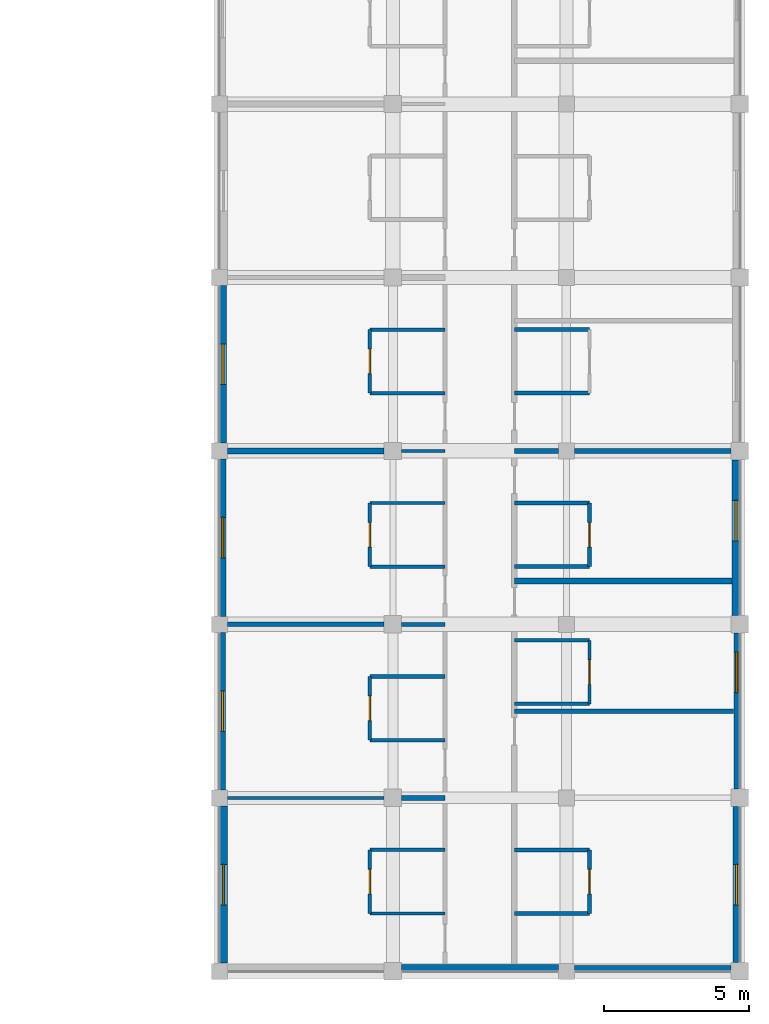
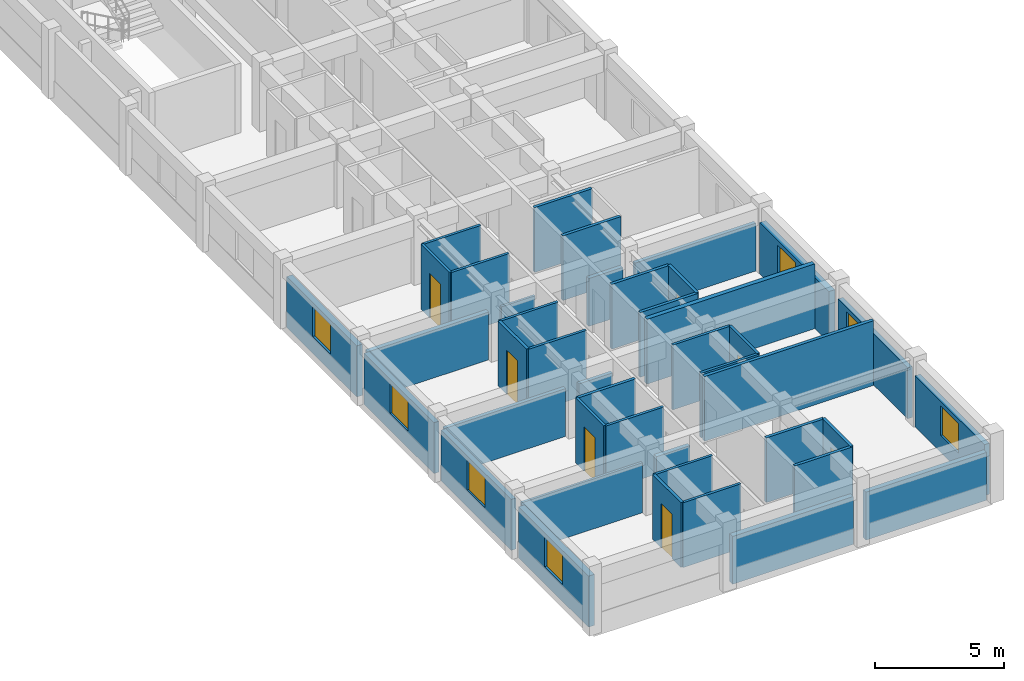
# One storey, part 4 of 21: 42 walls, 7 doors, 7 windows, 14 openings.
"""IFC4 building model written with IfcOpenShell, lengths in metres."""

from ifc_helpers import new_model, si_unit, direction, frame, frame_2d, origin, place, context, subcontext, project, spatial, rectangle, extrude, material, layer, layer_set, type_object, element, fill, save


model = new_model("IFC4")

# Units and contexts
model_context = context("Model", 3, precision=1e-05, world=origin(), true_north=direction((0.0, 1.0)))
body_context = subcontext(model_context, "Body", "Model", "MODEL_VIEW")
ifc_project = project(units=[si_unit("LENGTHUNIT", "METRE"), si_unit("AREAUNIT", "SQUARE_METRE"), si_unit("VOLUMEUNIT", "CUBIC_METRE"), si_unit("PLANEANGLEUNIT", "RADIAN"), si_unit("MASSUNIT", "GRAM", prefix="KILO"), si_unit("THERMODYNAMICTEMPERATUREUNIT", "KELVIN"), si_unit("POWERUNIT", "WATT")], contexts=[model_context])

# Site, building, storey
site_placement = place(None, origin())
site = spatial("IfcSite", under=ifc_project, at=site_placement, CompositionType="ELEMENT")
building_placement = place(site_placement, origin())
building = spatial("IfcBuilding", under=site, at=building_placement, Name="Phaisarnlok Congress Hotel", CompositionType="ELEMENT")
storey_placement = place(building_placement, frame((0.0, 0.0, 34.800048828125)))
storey = spatial("IfcBuildingStorey", under=building, at=storey_placement, Name="L08", CompositionType="ELEMENT", Elevation=34.800048828125)

# Wall, opening, window
ifc_material_1 = material(Name="Concrete C40/50", Category="concrete")
ifc_layer_1 = layer(ifc_material_1, 0.2099609375, Name="Concrete C40/50")
ifc_layer_set_1 = layer_set([ifc_layer_1], Name="Concrete C40/50")
wall_type_1 = type_object("IfcWallType", Name="WL-EXT-210", PredefinedType="SOLIDWALL", material=ifc_layer_set_1)
wall_1_placement = place(storey_placement, frame((179.89501953125, 48.304931640625, 0.0), z_axis=(0.0, 0.0, 1.0), x_axis=(0.0, 1.0, 0.0)))
wall_1 = element("IfcWall", 1, at=wall_1_placement, inside=storey, type_object=wall_type_1, Name="Exterior wall EW-07 (L08)", PredefinedType="SOLIDWALL", context=body_context, shape_type="SweptSolid", body=[
    extrude(rectangle(XDim=5.39013671875, YDim=0.2099609375, at=frame_2d((2.695068359375, 0.0))), origin(), (0.0, 0.0, 1.0), 2.419921875),
])
opening_1_placement = place(wall_1_placement, frame((3.3330078125, 0.0, 0.800048828125)))
opening_1 = element("IfcOpeningElement", 2, at=opening_1_placement, cuts=wall_1, Name="Opening W-13", PredefinedType="OPENING", context=body_context, shape_type="SweptSolid", body=[
    extrude(rectangle(XDim=1.39990234375, YDim=1.39990234375, at=frame_2d((0.699951171875, 0.699951171875))), frame((0.0, 0.114990234375, 0.0), z_axis=(0.0, -1.0, 0.0), x_axis=(1.0, 0.0, 0.0)), (0.0, 0.0, 1.0), 0.22998046875),
])
ifc_material_2 = material(Name="Thermally Broken Aluminium & Low-E Double Glazing", Category="aluminium")
window_type = type_object("IfcWindowType", Name="WIN-POD-1400", PartitioningType="SINGLE_PANEL", PredefinedType="WINDOW", material=ifc_material_2)
window_1_placement = place(opening_1_placement, origin())
window_1 = element("IfcWindow", 3, at=window_1_placement, inside=storey, type_object=window_type, Name="Guestroom window W-13 (L08)", OverallHeight=1.39990234375, OverallWidth=1.39990234375, PartitioningType="SINGLE_PANEL", PredefinedType="WINDOW", context=body_context, shape_type="SweptSolid", body=[
    extrude(rectangle(XDim=1.39990234375, YDim=1.39990234375, at=frame_2d((0.699951171875, 0.699951171875))), frame((0.0, 0.030029296875, 0.0), z_axis=(0.0, -1.0, 0.0), x_axis=(1.0, 0.0, 0.0)), (0.0, 0.0, 1.0), 0.06005859375),
])
fill(opening_1, window_1)

wall_2_placement = place(storey_placement, frame((162.10498046875, 53.719970703125, 0.0), z_axis=(0.0, 0.0, 1.0), x_axis=(0.0, -1.0, 0.0)))
wall_2 = element("IfcWall", 4, at=wall_2_placement, inside=storey, type_object=wall_type_1, Name="Exterior wall EW-07 (L08)", PredefinedType="SOLIDWALL", context=body_context, shape_type="SweptSolid", body=[
    extrude(rectangle(XDim=5.43994140625, YDim=0.2099609375, at=frame_2d((2.719970703125, 0.0))), origin(), (0.0, 0.0, 1.0), 2.419921875),
])
opening_2_placement = place(wall_2_placement, frame((2.02001953125, 0.0, 0.800048828125)))
opening_2 = element("IfcOpeningElement", 5, at=opening_2_placement, cuts=wall_2, Name="Opening W-13", PredefinedType="OPENING", context=body_context, shape_type="SweptSolid", body=[
    extrude(rectangle(XDim=1.39990234375, YDim=1.39990234375, at=frame_2d((0.699951171875, 0.699951171875))), frame((0.0, 0.114990234375, 0.0), z_axis=(0.0, -1.0, 0.0), x_axis=(1.0, 0.0, 0.0)), (0.0, 0.0, 1.0), 0.22998046875),
])
window_2_placement = place(opening_2_placement, origin())
window_2 = element("IfcWindow", 6, at=window_2_placement, inside=storey, type_object=window_type, Name="Guestroom window W-13 (L08)", OverallHeight=1.39990234375, OverallWidth=1.39990234375, PartitioningType="SINGLE_PANEL", PredefinedType="WINDOW", context=body_context, shape_type="SweptSolid", body=[
    extrude(rectangle(XDim=1.39990234375, YDim=1.39990234375, at=frame_2d((0.699951171875, 0.699951171875))), frame((0.0, 0.030029296875, 0.0), z_axis=(0.0, -1.0, 0.0), x_axis=(1.0, 0.0, 0.0)), (0.0, 0.0, 1.0), 0.06005859375),
])
fill(opening_2, window_2)

# Wall
wall_3_placement = place(storey_placement, frame((174.280029296875, 42.10498046875, 0.0), z_axis=(0.0, 0.0, 1.0), x_axis=(1.0, 0.0, 0.0)))
element("IfcWall", 7, at=wall_3_placement, inside=storey, type_object=wall_type_1, Name="Exterior wall EW-07 (L08)", PredefinedType="SOLIDWALL", context=body_context, shape_type="SweptSolid", body=[
    extrude(rectangle(XDim=5.4150390625, YDim=0.2099609375, at=frame_2d((2.70751953125, 0.0))), origin(), (0.0, 0.0, 1.0), 2.27001953125),
])

# Wall, opening, window
ifc_layer_2 = layer(ifc_material_1, 0.22998046875, Name="Concrete C40/50")
ifc_layer_set_2 = layer_set([ifc_layer_2], Name="Concrete C40/50")
wall_type_2 = type_object("IfcWallType", Name="WL-EXT-230", PredefinedType="SOLIDWALL", material=ifc_layer_set_2)
wall_4_placement = place(storey_placement, frame((179.885009765625, 42.304931640625, 0.0), z_axis=(0.0, 0.0, 1.0), x_axis=(0.0, 1.0, 0.0)))
wall_4 = element("IfcWall", 8, at=wall_4_placement, inside=storey, type_object=wall_type_2, Name="Exterior wall EW-06 (L08)", PredefinedType="SOLIDWALL", context=body_context, shape_type="SweptSolid", body=[
    extrude(rectangle(XDim=5.39013671875, YDim=0.22998046875, at=frame_2d((2.695068359375, 0.0))), origin(), (0.0, 0.0, 1.0), 2.419921875),
])
opening_3_placement = place(wall_4_placement, frame((1.9951171875, 0.0, 0.800048828125)))
opening_3 = element("IfcOpeningElement", 9, at=opening_3_placement, cuts=wall_4, Name="Opening W-13", PredefinedType="OPENING", context=body_context, shape_type="SweptSolid", body=[
    extrude(rectangle(XDim=1.39990234375, YDim=1.39990234375, at=frame_2d((0.699951171875, 0.699951171875))), frame((0.0, 0.125, 0.0), z_axis=(0.0, -1.0, 0.0), x_axis=(1.0, 0.0, 0.0)), (0.0, 0.0, 1.0), 0.25),
])
window_3_placement = place(opening_3_placement, origin())
window_3 = element("IfcWindow", 10, at=window_3_placement, inside=storey, type_object=window_type, Name="Guestroom window W-13 (L08)", OverallHeight=1.39990234375, OverallWidth=1.39990234375, PartitioningType="SINGLE_PANEL", PredefinedType="WINDOW", context=body_context, shape_type="SweptSolid", body=[
    extrude(rectangle(XDim=1.39990234375, YDim=1.39990234375, at=frame_2d((0.699951171875, 0.699951171875))), frame((0.0, 0.030029296875, 0.0), z_axis=(0.0, -1.0, 0.0), x_axis=(1.0, 0.0, 0.0)), (0.0, 0.0, 1.0), 0.06005859375),
])
fill(opening_3, window_3)

wall_5_placement = place(storey_placement, frame((162.114990234375, 59.719970703125, 0.0), z_axis=(0.0, 0.0, 1.0), x_axis=(0.0, -1.0, 0.0)))
wall_5 = element("IfcWall", 11, at=wall_5_placement, inside=storey, type_object=wall_type_2, Name="Exterior wall EW-06 (L08)", PredefinedType="SOLIDWALL", context=body_context, shape_type="SweptSolid", body=[
    extrude(rectangle(XDim=5.43994140625, YDim=0.22998046875, at=frame_2d((2.719970703125, 0.0))), origin(), (0.0, 0.0, 1.0), 2.419921875),
])
opening_4_placement = place(wall_5_placement, frame((2.02001953125, 0.0, 0.800048828125)))
opening_4 = element("IfcOpeningElement", 12, at=opening_4_placement, cuts=wall_5, Name="Opening W-13", PredefinedType="OPENING", context=body_context, shape_type="SweptSolid", body=[
    extrude(rectangle(XDim=1.39990234375, YDim=1.39990234375, at=frame_2d((0.699951171875, 0.699951171875))), frame((0.0, 0.125, 0.0), z_axis=(0.0, -1.0, 0.0), x_axis=(1.0, 0.0, 0.0)), (0.0, 0.0, 1.0), 0.25),
])
window_4_placement = place(opening_4_placement, origin())
window_4 = element("IfcWindow", 13, at=window_4_placement, inside=storey, type_object=window_type, Name="Guestroom window W-13 (L08)", OverallHeight=1.39990234375, OverallWidth=1.39990234375, PartitioningType="SINGLE_PANEL", PredefinedType="WINDOW", context=body_context, shape_type="SweptSolid", body=[
    extrude(rectangle(XDim=1.39990234375, YDim=1.39990234375, at=frame_2d((0.699951171875, 0.699951171875))), frame((0.0, 0.030029296875, 0.0), z_axis=(0.0, -1.0, 0.0), x_axis=(1.0, 0.0, 0.0)), (0.0, 0.0, 1.0), 0.06005859375),
])
fill(opening_4, window_4)

# Wall
wall_6_placement = place(storey_placement, frame((168.304931640625, 42.114990234375, 0.0), z_axis=(0.0, 0.0, 1.0), x_axis=(1.0, 0.0, 0.0)))
element("IfcWall", 14, at=wall_6_placement, inside=storey, type_object=wall_type_2, Name="Exterior wall EW-06 (L08)", PredefinedType="SOLIDWALL", context=body_context, shape_type="SweptSolid", body=[
    extrude(rectangle(XDim=5.4150390625, YDim=0.22998046875, at=frame_2d((2.70751953125, 0.0))), origin(), (0.0, 0.0, 1.0), 2.27001953125),
])

# Wall, opening, window
ifc_layer_3 = layer(ifc_material_1, 0.25, Name="Concrete C40/50")
ifc_layer_set_3 = layer_set([ifc_layer_3], Name="Concrete C40/50")
wall_type_3 = type_object("IfcWallType", Name="WL-EXT-250", PredefinedType="SOLIDWALL", material=ifc_layer_set_3)
wall_7_placement = place(storey_placement, frame((162.125, 65.719970703125, 0.0), z_axis=(0.0, 0.0, 1.0), x_axis=(0.0, -1.0, 0.0)))
wall_7 = element("IfcWall", 15, at=wall_7_placement, inside=storey, type_object=wall_type_3, Name="Exterior wall EW-05 (L08)", PredefinedType="SOLIDWALL", context=body_context, shape_type="SweptSolid", body=[
    extrude(rectangle(XDim=5.43994140625, YDim=0.25, at=frame_2d((2.719970703125, 0.0))), origin(), (0.0, 0.0, 1.0), 2.419921875),
])
opening_5_placement = place(wall_7_placement, frame((2.02001953125, 0.0, 0.800048828125)))
opening_5 = element("IfcOpeningElement", 16, at=opening_5_placement, cuts=wall_7, Name="Opening W-13", PredefinedType="OPENING", context=body_context, shape_type="SweptSolid", body=[
    extrude(rectangle(XDim=1.39990234375, YDim=1.39990234375, at=frame_2d((0.699951171875, 0.699951171875))), frame((0.0, 0.135009765625, 0.0), z_axis=(0.0, -1.0, 0.0), x_axis=(1.0, 0.0, 0.0)), (0.0, 0.0, 1.0), 0.27001953125),
])
window_5_placement = place(opening_5_placement, origin())
window_5 = element("IfcWindow", 17, at=window_5_placement, inside=storey, type_object=window_type, Name="Guestroom window W-13 (L08)", OverallHeight=1.39990234375, OverallWidth=1.39990234375, PartitioningType="SINGLE_PANEL", PredefinedType="WINDOW", context=body_context, shape_type="SweptSolid", body=[
    extrude(rectangle(XDim=1.39990234375, YDim=1.39990234375, at=frame_2d((0.699951171875, 0.699951171875))), frame((0.0, 0.030029296875, 0.0), z_axis=(0.0, -1.0, 0.0), x_axis=(1.0, 0.0, 0.0)), (0.0, 0.0, 1.0), 0.06005859375),
])
fill(opening_5, window_5)

ifc_layer_4 = layer(ifc_material_1, 0.27001953125, Name="Concrete C40/50")
ifc_layer_set_4 = layer_set([ifc_layer_4], Name="Concrete C40/50")
wall_type_4 = type_object("IfcWallType", Name="WL-EXT-270", PredefinedType="SOLIDWALL", material=ifc_layer_set_4)
wall_8_placement = place(storey_placement, frame((179.864990234375, 54.304931640625, 0.0), z_axis=(0.0, 0.0, 1.0), x_axis=(0.0, 1.0, 0.0)))
wall_8 = element("IfcWall", 18, at=wall_8_placement, inside=storey, type_object=wall_type_4, Name="Exterior wall EW-04 (L08)", PredefinedType="SOLIDWALL", context=body_context, shape_type="SweptSolid", body=[
    extrude(rectangle(XDim=5.39013671875, YDim=0.27001953125, at=frame_2d((2.695068359375, 0.0))), origin(), (0.0, 0.0, 1.0), 2.419921875),
])
opening_6_placement = place(wall_8_placement, frame((2.5830078125, 0.0, 0.800048828125)))
opening_6 = element("IfcOpeningElement", 19, at=opening_6_placement, cuts=wall_8, Name="Opening W-13", PredefinedType="OPENING", context=body_context, shape_type="SweptSolid", body=[
    extrude(rectangle(XDim=1.39990234375, YDim=1.39990234375, at=frame_2d((0.699951171875, 0.699951171875))), frame((0.0, 0.14501953125, 0.0), z_axis=(0.0, -1.0, 0.0), x_axis=(1.0, 0.0, 0.0)), (0.0, 0.0, 1.0), 0.2900390625),
])
window_6_placement = place(opening_6_placement, origin())
window_6 = element("IfcWindow", 20, at=window_6_placement, inside=storey, type_object=window_type, Name="Guestroom window W-13 (L08)", OverallHeight=1.39990234375, OverallWidth=1.39990234375, PartitioningType="SINGLE_PANEL", PredefinedType="WINDOW", context=body_context, shape_type="SweptSolid", body=[
    extrude(rectangle(XDim=1.39990234375, YDim=1.39990234375, at=frame_2d((0.699951171875, 0.699951171875))), frame((0.0, 0.030029296875, 0.0), z_axis=(0.0, -1.0, 0.0), x_axis=(1.0, 0.0, 0.0)), (0.0, 0.0, 1.0), 0.06005859375),
])
fill(opening_6, window_6)

wall_9_placement = place(storey_placement, frame((162.135009765625, 47.719970703125, 0.0), z_axis=(0.0, 0.0, 1.0), x_axis=(0.0, -1.0, 0.0)))
wall_9 = element("IfcWall", 21, at=wall_9_placement, inside=storey, type_object=wall_type_4, Name="Exterior wall EW-04 (L08)", PredefinedType="SOLIDWALL", context=body_context, shape_type="SweptSolid", body=[
    extrude(rectangle(XDim=5.43994140625, YDim=0.27001953125, at=frame_2d((2.719970703125, 0.0))), origin(), (0.0, 0.0, 1.0), 2.419921875),
])
opening_7_placement = place(wall_9_placement, frame((2.02001953125, 0.0, 0.800048828125)))
opening_7 = element("IfcOpeningElement", 22, at=opening_7_placement, cuts=wall_9, Name="Opening W-13", PredefinedType="OPENING", context=body_context, shape_type="SweptSolid", body=[
    extrude(rectangle(XDim=1.39990234375, YDim=1.39990234375, at=frame_2d((0.699951171875, 0.699951171875))), frame((0.0, 0.14501953125, 0.0), z_axis=(0.0, -1.0, 0.0), x_axis=(1.0, 0.0, 0.0)), (0.0, 0.0, 1.0), 0.2900390625),
])
window_7_placement = place(opening_7_placement, origin())
window_7 = element("IfcWindow", 23, at=window_7_placement, inside=storey, type_object=window_type, Name="Guestroom window W-13 (L08)", OverallHeight=1.39990234375, OverallWidth=1.39990234375, PartitioningType="SINGLE_PANEL", PredefinedType="WINDOW", context=body_context, shape_type="SweptSolid", body=[
    extrude(rectangle(XDim=1.39990234375, YDim=1.39990234375, at=frame_2d((0.699951171875, 0.699951171875))), frame((0.0, 0.030029296875, 0.0), z_axis=(0.0, -1.0, 0.0), x_axis=(1.0, 0.0, 0.0)), (0.0, 0.0, 1.0), 0.06005859375),
])
fill(opening_7, window_7)

# Walls
ifc_material_3 = material(Name="Service Riser Shaftwall Partition", Category="gypsum")
ifc_layer_5 = layer(ifc_material_3, 0.10498046875, Name="Service Riser Shaftwall Partition")
ifc_layer_set_5 = layer_set([ifc_layer_5], Name="Service Riser Shaftwall Partition")
wall_type_5 = type_object("IfcWallType", Name="WL-INT-105", PredefinedType="PARTITIONING", material=ifc_layer_set_5)
wall_10_placement = place(storey_placement, frame((162.280029296875, 48.0, 0.0), z_axis=(0.0, 0.0, 1.0), x_axis=(1.0, 0.0, 0.0)))
element("IfcWall", 24, at=wall_10_placement, inside=storey, type_object=wall_type_5, Name="Interior partition wall IW-08 (L08)", PredefinedType="PARTITIONING", context=body_context, shape_type="SweptSolid", body=[
    extrude(rectangle(XDim=5.4150390625, YDim=0.10498046875, at=frame_2d((2.70751953125, 0.0))), origin(), (0.0, 0.0, 1.0), 2.369873046875),
])
wall_11_placement = place(storey_placement, frame((168.304931640625, 60.0, 0.0), z_axis=(0.0, 0.0, 1.0), x_axis=(1.0, 0.0, 0.0)))
element("IfcWall", 25, at=wall_11_placement, inside=storey, type_object=wall_type_5, Name="Interior partition wall IW-08 (L08)", PredefinedType="PARTITIONING", context=body_context, shape_type="SweptSolid", body=[
    extrude(rectangle(XDim=1.4951171875, YDim=0.10498046875, at=frame_2d((0.74755859375, 0.0))), origin(), (0.0, 0.0, 1.0), 2.27001953125),
])

# Wall, opening, door
ifc_material_4 = material(Name="Lightweight Metal-Stud Gypsum Partition", Category="gypsum")
ifc_layer_6 = layer(ifc_material_4, 0.1201171875, Name="Lightweight Metal-Stud Gypsum Partition")
ifc_layer_set_6 = layer_set([ifc_layer_6], Name="Lightweight Metal-Stud Gypsum Partition")
wall_type_6 = type_object("IfcWallType", Name="WL-INT-120", PredefinedType="PARTITIONING", material=ifc_layer_set_6)
wall_12_placement = place(storey_placement, frame((167.199951171875, 50.0, 0.0), z_axis=(0.0, 0.0, 1.0), x_axis=(0.0, 1.0, 0.0)))
wall_12 = element("IfcWall", 26, at=wall_12_placement, inside=storey, type_object=wall_type_6, Name="Interior partition wall IW-07 (L08)", PredefinedType="PARTITIONING", context=body_context, shape_type="SweptSolid", body=[
    extrude(rectangle(XDim=2.199951171875, YDim=0.1201171875, at=frame_2d((1.10009765625, 0.0))), origin(), (0.0, 0.0, 1.0), 3.070068359375),
])
opening_8_placement = place(wall_12_placement, frame((0.675048828125, 0.0, 0.0)))
opening_8 = element("IfcOpeningElement", 27, at=opening_8_placement, cuts=wall_12, Name="Opening D-0472", PredefinedType="OPENING", context=body_context, shape_type="SweptSolid", body=[
    extrude(rectangle(XDim=0.85009765625, YDim=2.10009765625, at=frame_2d((0.425048828125, 1.050048828125))), frame((0.0, 0.070068359375, 0.0), z_axis=(0.0, -1.0, 0.0), x_axis=(1.0, 0.0, 0.0)), (0.0, 0.0, 1.0), 0.14013671875),
])
ifc_material_5 = material(Name="Moisture-Resistant Lacquered Timber", Category="wood")
door_type = type_object("IfcDoorType", Name="DR-BATH-850", OperationType="NOTDEFINED", PredefinedType="DOOR", material=ifc_material_5)
door_1_placement = place(opening_8_placement, origin())
door_1 = element("IfcDoor", 28, at=door_1_placement, inside=storey, type_object=door_type, Name="Interior door D-0472 (L08)", OperationType="SINGLE_SWING_LEFT", OverallHeight=2.10009765625, OverallWidth=0.85009765625, PredefinedType="DOOR", context=body_context, shape_type="SweptSolid", body=[
    extrude(rectangle(XDim=0.85009765625, YDim=2.10009765625, at=frame_2d((0.425048828125, 1.050048828125))), frame((0.0, 0.02490234375, 0.0), z_axis=(0.0, -1.0, 0.0), x_axis=(1.0, 0.0, 0.0)), (0.0, 0.0, 1.0), 0.050048828125),
])
fill(opening_8, door_1)

wall_13_placement = place(storey_placement, frame((167.199951171875, 62.0, 0.0), z_axis=(0.0, 0.0, 1.0), x_axis=(0.0, 1.0, 0.0)))
wall_13 = element("IfcWall", 29, at=wall_13_placement, inside=storey, type_object=wall_type_6, Name="Interior partition wall IW-07 (L08)", PredefinedType="PARTITIONING", context=body_context, shape_type="SweptSolid", body=[
    extrude(rectangle(XDim=2.199951171875, YDim=0.1201171875, at=frame_2d((1.10009765625, 0.0))), origin(), (0.0, 0.0, 1.0), 3.070068359375),
])
opening_9_placement = place(wall_13_placement, frame((0.675048828125, 0.0, 0.0)))
opening_9 = element("IfcOpeningElement", 30, at=opening_9_placement, cuts=wall_13, Name="Opening D-0476", PredefinedType="OPENING", context=body_context, shape_type="SweptSolid", body=[
    extrude(rectangle(XDim=0.85009765625, YDim=2.10009765625, at=frame_2d((0.425048828125, 1.050048828125))), frame((0.0, 0.070068359375, 0.0), z_axis=(0.0, -1.0, 0.0), x_axis=(1.0, 0.0, 0.0)), (0.0, 0.0, 1.0), 0.14013671875),
])
door_2_placement = place(opening_9_placement, origin())
door_2 = element("IfcDoor", 31, at=door_2_placement, inside=storey, type_object=door_type, Name="Interior door D-0476 (L08)", OperationType="SINGLE_SWING_LEFT", OverallHeight=2.10009765625, OverallWidth=0.85009765625, PredefinedType="DOOR", context=body_context, shape_type="SweptSolid", body=[
    extrude(rectangle(XDim=0.85009765625, YDim=2.10009765625, at=frame_2d((0.425048828125, 1.050048828125))), frame((0.0, 0.02490234375, 0.0), z_axis=(0.0, -1.0, 0.0), x_axis=(1.0, 0.0, 0.0)), (0.0, 0.0, 1.0), 0.050048828125),
])
fill(opening_9, door_2)

wall_14_placement = place(storey_placement, frame((174.800048828125, 51.25, 0.0), z_axis=(0.0, 0.0, 1.0), x_axis=(0.0, 1.0, 0.0)))
wall_14 = element("IfcWall", 32, at=wall_14_placement, inside=storey, type_object=wall_type_6, Name="Interior partition wall IW-07 (L08)", PredefinedType="PARTITIONING", context=body_context, shape_type="SweptSolid", body=[
    extrude(rectangle(XDim=2.199951171875, YDim=0.1201171875, at=frame_2d((1.10009765625, 0.0))), origin(), (0.0, 0.0, 1.0), 3.070068359375),
])
opening_10_placement = place(wall_14_placement, frame((0.675048828125, 0.0, 0.0)))
opening_10 = element("IfcOpeningElement", 33, at=opening_10_placement, cuts=wall_14, Name="Opening D-0449", PredefinedType="OPENING", context=body_context, shape_type="SweptSolid", body=[
    extrude(rectangle(XDim=0.85009765625, YDim=2.10009765625, at=frame_2d((0.425048828125, 1.050048828125))), frame((0.0, 0.070068359375, 0.0), z_axis=(0.0, -1.0, 0.0), x_axis=(1.0, 0.0, 0.0)), (0.0, 0.0, 1.0), 0.14013671875),
])
door_3_placement = place(opening_10_placement, origin())
door_3 = element("IfcDoor", 34, at=door_3_placement, inside=storey, type_object=door_type, Name="Interior door D-0449 (L08)", OperationType="SINGLE_SWING_RIGHT", OverallHeight=2.10009765625, OverallWidth=0.85009765625, PredefinedType="DOOR", context=body_context, shape_type="SweptSolid", body=[
    extrude(rectangle(XDim=0.85009765625, YDim=2.10009765625, at=frame_2d((0.425048828125, 1.050048828125))), frame((0.0, 0.02490234375, 0.0), z_axis=(0.0, -1.0, 0.0), x_axis=(1.0, 0.0, 0.0)), (0.0, 0.0, 1.0), 0.050048828125),
])
fill(opening_10, door_3)

# Walls
for number, where, z_axis, x_axis, name in (
    (35, (167.199951171875, 44.0, 0.0), (0.0, 0.0, 1.0), (1.0, 0.0, 0.0), "Interior partition wall IW-07 (L08)"),
    (36, (167.199951171875, 46.199951171875, 0.0), (0.0, 0.0, 1.0), (1.0, 0.0, 0.0), "Interior partition wall IW-07 (L08)"),
    (37, (167.199951171875, 50.0, 0.0), (0.0, 0.0, 1.0), (1.0, 0.0, 0.0), "Interior partition wall IW-07 (L08)"),
    (38, (172.199951171875, 51.25, 0.0), (0.0, 0.0, 1.0), (1.0, 0.0, 0.0), "Interior partition wall IW-07 (L08)"),
    (39, (172.199951171875, 53.449951171875, 0.0), (0.0, 0.0, 1.0), (1.0, 0.0, 0.0), "Interior partition wall IW-07 (L08)"),
    (40, (167.199951171875, 56.0, 0.0), (0.0, 0.0, 1.0), (1.0, 0.0, 0.0), "Interior partition wall IW-07 (L08)"),
    (41, (167.199951171875, 58.199951171875, 0.0), (0.0, 0.0, 1.0), (1.0, 0.0, 0.0), "Interior partition wall IW-07 (L08)"),
    (42, (167.199951171875, 62.0, 0.0), (0.0, 0.0, 1.0), (1.0, 0.0, 0.0), "Interior partition wall IW-07 (L08)"),
    (43, (167.199951171875, 64.199951171875, 0.0), (0.0, 0.0, 1.0), (1.0, 0.0, 0.0), "Interior partition wall IW-07 (L08)"),
):
    element("IfcWall", number, at=place(storey_placement, frame(where, z_axis=z_axis, x_axis=x_axis)), inside=storey, type_object=wall_type_6, Name=name, PredefinedType="PARTITIONING", context=body_context, shape_type="SweptSolid", body=[
        extrude(rectangle(XDim=2.60009765625, YDim=0.1201171875, at=frame_2d((1.300048828125, 0.0))), origin(), (0.0, 0.0, 1.0), 3.070068359375),
    ])

# Wall, opening, door
ifc_material_6 = material(Name="Moisture-Resistant Gypsum Partition", Category="gypsum")
ifc_layer_7 = layer(ifc_material_6, 0.135009765625, Name="Moisture-Resistant Gypsum Partition")
ifc_layer_set_7 = layer_set([ifc_layer_7], Name="Moisture-Resistant Gypsum Partition")
wall_type_7 = type_object("IfcWallType", Name="WL-INT-135", PredefinedType="PARTITIONING", material=ifc_layer_set_7)
wall_15_placement = place(storey_placement, frame((167.199951171875, 44.0, 0.0), z_axis=(0.0, 0.0, 1.0), x_axis=(0.0, 1.0, 0.0)))
wall_15 = element("IfcWall", 44, at=wall_15_placement, inside=storey, type_object=wall_type_7, Name="Interior partition wall IW-06 (L08)", PredefinedType="PARTITIONING", context=body_context, shape_type="SweptSolid", body=[
    extrude(rectangle(XDim=2.199951171875, YDim=0.135009765625, at=frame_2d((1.10009765625, 0.0))), origin(), (0.0, 0.0, 1.0), 3.070068359375),
])
opening_11_placement = place(wall_15_placement, frame((0.675048828125, 0.0, 0.0)))
opening_11 = element("IfcOpeningElement", 45, at=opening_11_placement, cuts=wall_15, Name="Opening D-0470", PredefinedType="OPENING", context=body_context, shape_type="SweptSolid", body=[
    extrude(rectangle(XDim=0.85009765625, YDim=2.10009765625, at=frame_2d((0.425048828125, 1.050048828125))), frame((0.0, 0.07763671875, 0.0), z_axis=(0.0, -1.0, 0.0), x_axis=(1.0, 0.0, 0.0)), (0.0, 0.0, 1.0), 0.155029296875),
])
door_4_placement = place(opening_11_placement, origin())
door_4 = element("IfcDoor", 46, at=door_4_placement, inside=storey, type_object=door_type, Name="Interior door D-0470 (L08)", OperationType="SINGLE_SWING_LEFT", OverallHeight=2.10009765625, OverallWidth=0.85009765625, PredefinedType="DOOR", context=body_context, shape_type="SweptSolid", body=[
    extrude(rectangle(XDim=0.85009765625, YDim=2.10009765625, at=frame_2d((0.425048828125, 1.050048828125))), frame((0.0, 0.02490234375, 0.0), z_axis=(0.0, -1.0, 0.0), x_axis=(1.0, 0.0, 0.0)), (0.0, 0.0, 1.0), 0.050048828125),
])
fill(opening_11, door_4)

wall_16_placement = place(storey_placement, frame((167.199951171875, 56.0, 0.0), z_axis=(0.0, 0.0, 1.0), x_axis=(0.0, 1.0, 0.0)))
wall_16 = element("IfcWall", 47, at=wall_16_placement, inside=storey, type_object=wall_type_7, Name="Interior partition wall IW-06 (L08)", PredefinedType="PARTITIONING", context=body_context, shape_type="SweptSolid", body=[
    extrude(rectangle(XDim=2.199951171875, YDim=0.135009765625, at=frame_2d((1.10009765625, 0.0))), origin(), (0.0, 0.0, 1.0), 3.070068359375),
])
opening_12_placement = place(wall_16_placement, frame((0.675048828125, 0.0, 0.0)))
opening_12 = element("IfcOpeningElement", 48, at=opening_12_placement, cuts=wall_16, Name="Opening D-0474", PredefinedType="OPENING", context=body_context, shape_type="SweptSolid", body=[
    extrude(rectangle(XDim=0.85009765625, YDim=2.10009765625, at=frame_2d((0.425048828125, 1.050048828125))), frame((0.0, 0.07763671875, 0.0), z_axis=(0.0, -1.0, 0.0), x_axis=(1.0, 0.0, 0.0)), (0.0, 0.0, 1.0), 0.155029296875),
])
door_5_placement = place(opening_12_placement, origin())
door_5 = element("IfcDoor", 49, at=door_5_placement, inside=storey, type_object=door_type, Name="Interior door D-0474 (L08)", OperationType="SINGLE_SWING_LEFT", OverallHeight=2.10009765625, OverallWidth=0.85009765625, PredefinedType="DOOR", context=body_context, shape_type="SweptSolid", body=[
    extrude(rectangle(XDim=0.85009765625, YDim=2.10009765625, at=frame_2d((0.425048828125, 1.050048828125))), frame((0.0, 0.02490234375, 0.0), z_axis=(0.0, -1.0, 0.0), x_axis=(1.0, 0.0, 0.0)), (0.0, 0.0, 1.0), 0.050048828125),
])
fill(opening_12, door_5)

wall_17_placement = place(storey_placement, frame((174.800048828125, 44.0, 0.0), z_axis=(0.0, 0.0, 1.0), x_axis=(0.0, 1.0, 0.0)))
wall_17 = element("IfcWall", 50, at=wall_17_placement, inside=storey, type_object=wall_type_7, Name="Interior partition wall IW-06 (L08)", PredefinedType="PARTITIONING", context=body_context, shape_type="SweptSolid", body=[
    extrude(rectangle(XDim=2.199951171875, YDim=0.135009765625, at=frame_2d((1.10009765625, 0.0))), origin(), (0.0, 0.0, 1.0), 3.070068359375),
])
opening_13_placement = place(wall_17_placement, frame((0.675048828125, 0.0, 0.0)))
opening_13 = element("IfcOpeningElement", 51, at=opening_13_placement, cuts=wall_17, Name="Opening D-0447", PredefinedType="OPENING", context=body_context, shape_type="SweptSolid", body=[
    extrude(rectangle(XDim=0.85009765625, YDim=2.10009765625, at=frame_2d((0.425048828125, 1.050048828125))), frame((0.0, 0.07763671875, 0.0), z_axis=(0.0, -1.0, 0.0), x_axis=(1.0, 0.0, 0.0)), (0.0, 0.0, 1.0), 0.155029296875),
])
door_6_placement = place(opening_13_placement, origin())
door_6 = element("IfcDoor", 52, at=door_6_placement, inside=storey, type_object=door_type, Name="Interior door D-0447 (L08)", OperationType="SINGLE_SWING_RIGHT", OverallHeight=2.10009765625, OverallWidth=0.85009765625, PredefinedType="DOOR", context=body_context, shape_type="SweptSolid", body=[
    extrude(rectangle(XDim=0.85009765625, YDim=2.10009765625, at=frame_2d((0.425048828125, 1.050048828125))), frame((0.0, 0.02490234375, 0.0), z_axis=(0.0, -1.0, 0.0), x_axis=(1.0, 0.0, 0.0)), (0.0, 0.0, 1.0), 0.050048828125),
])
fill(opening_13, door_6)

wall_18_placement = place(storey_placement, frame((174.800048828125, 56.0, 0.0), z_axis=(0.0, 0.0, 1.0), x_axis=(0.0, 1.0, 0.0)))
wall_18 = element("IfcWall", 53, at=wall_18_placement, inside=storey, type_object=wall_type_7, Name="Interior partition wall IW-06 (L08)", PredefinedType="PARTITIONING", context=body_context, shape_type="SweptSolid", body=[
    extrude(rectangle(XDim=2.199951171875, YDim=0.135009765625, at=frame_2d((1.10009765625, 0.0))), origin(), (0.0, 0.0, 1.0), 3.070068359375),
])
opening_14_placement = place(wall_18_placement, frame((0.675048828125, 0.0, 0.0)))
opening_14 = element("IfcOpeningElement", 54, at=opening_14_placement, cuts=wall_18, Name="Opening D-0451", PredefinedType="OPENING", context=body_context, shape_type="SweptSolid", body=[
    extrude(rectangle(XDim=0.85009765625, YDim=2.10009765625, at=frame_2d((0.425048828125, 1.050048828125))), frame((0.0, 0.07763671875, 0.0), z_axis=(0.0, -1.0, 0.0), x_axis=(1.0, 0.0, 0.0)), (0.0, 0.0, 1.0), 0.155029296875),
])
door_7_placement = place(opening_14_placement, origin())
door_7 = element("IfcDoor", 55, at=door_7_placement, inside=storey, type_object=door_type, Name="Interior door D-0451 (L08)", OperationType="SINGLE_SWING_RIGHT", OverallHeight=2.10009765625, OverallWidth=0.85009765625, PredefinedType="DOOR", context=body_context, shape_type="SweptSolid", body=[
    extrude(rectangle(XDim=0.85009765625, YDim=2.10009765625, at=frame_2d((0.425048828125, 1.050048828125))), frame((0.0, 0.02490234375, 0.0), z_axis=(0.0, -1.0, 0.0), x_axis=(1.0, 0.0, 0.0)), (0.0, 0.0, 1.0), 0.050048828125),
])
fill(opening_14, door_7)

# Walls
for number, where, z_axis, x_axis, name in (
    (56, (172.199951171875, 44.0, 0.0), (0.0, 0.0, 1.0), (1.0, 0.0, 0.0), "Interior partition wall IW-06 (L08)"),
    (57, (172.199951171875, 46.199951171875, 0.0), (0.0, 0.0, 1.0), (1.0, 0.0, 0.0), "Interior partition wall IW-06 (L08)"),
    (58, (167.199951171875, 52.199951171875, 0.0), (0.0, 0.0, 1.0), (1.0, 0.0, 0.0), "Interior partition wall IW-06 (L08)"),
    (59, (172.199951171875, 56.0, 0.0), (0.0, 0.0, 1.0), (1.0, 0.0, 0.0), "Interior partition wall IW-06 (L08)"),
    (60, (172.199951171875, 58.199951171875, 0.0), (0.0, 0.0, 1.0), (1.0, 0.0, 0.0), "Interior partition wall IW-06 (L08)"),
    (61, (172.199951171875, 62.0, 0.0), (0.0, 0.0, 1.0), (1.0, 0.0, 0.0), "Interior partition wall IW-06 (L08)"),
    (62, (172.199951171875, 64.199951171875, 0.0), (0.0, 0.0, 1.0), (1.0, 0.0, 0.0), "Interior partition wall IW-06 (L08)"),
):
    element("IfcWall", number, at=place(storey_placement, frame(where, z_axis=z_axis, x_axis=x_axis)), inside=storey, type_object=wall_type_7, Name=name, PredefinedType="PARTITIONING", context=body_context, shape_type="SweptSolid", body=[
        extrude(rectangle(XDim=2.60009765625, YDim=0.135009765625, at=frame_2d((1.300048828125, 0.0))), origin(), (0.0, 0.0, 1.0), 3.070068359375),
    ])
ifc_material_7 = material(Name="Acoustic Gypsum Board & Mineral Wool", Category="gypsum")
ifc_layer_8 = layer(ifc_material_7, 0.14990234375, Name="Acoustic Gypsum Board & Mineral Wool")
ifc_layer_set_8 = layer_set([ifc_layer_8], Name="Acoustic Gypsum Board & Mineral Wool")
wall_type_8 = type_object("IfcWallType", Name="WL-INT-150", PredefinedType="PARTITIONING", material=ifc_layer_set_8)
wall_19_placement = place(storey_placement, frame((172.199951171875, 51.0, 0.0), z_axis=(0.0, 0.0, 1.0), x_axis=(1.0, 0.0, 0.0)))
element("IfcWall", 63, at=wall_19_placement, inside=storey, type_object=wall_type_8, Name="Interior partition wall IW-05 (L08)", PredefinedType="PARTITIONING", context=body_context, shape_type="SweptSolid", body=[
    extrude(rectangle(XDim=7.5849609375, YDim=0.14990234375, at=frame_2d((3.79248046875, 0.0))), origin(), (0.0, 0.0, 1.0), 3.070068359375),
])
wall_20_placement = place(storey_placement, frame((168.304931640625, 54.0, 0.0), z_axis=(0.0, 0.0, 1.0), x_axis=(1.0, 0.0, 0.0)))
element("IfcWall", 64, at=wall_20_placement, inside=storey, type_object=wall_type_8, Name="Interior partition wall IW-05 (L08)", PredefinedType="PARTITIONING", context=body_context, shape_type="SweptSolid", body=[
    extrude(rectangle(XDim=1.4951171875, YDim=0.14990234375, at=frame_2d((0.74755859375, 0.0))), origin(), (0.0, 0.0, 1.0), 2.27001953125),
])
ifc_material_8 = material(Name="Double-Stud Acoustic Gypsum Partition", Category="gypsum")
ifc_layer_9 = layer(ifc_material_8, 0.159912109375, Name="Double-Stud Acoustic Gypsum Partition")
ifc_layer_set_9 = layer_set([ifc_layer_9], Name="Double-Stud Acoustic Gypsum Partition")
wall_type_9 = type_object("IfcWallType", Name="WL-INT-160", PredefinedType="PARTITIONING", material=ifc_layer_set_9)
for number, where, z_axis, x_axis, name in (
    (65, (162.280029296875, 54.0, 0.0), (0.0, 0.0, 1.0), (1.0, 0.0, 0.0), "Interior partition wall IW-04 (L08)"),
    (66, (174.280029296875, 60.0, 0.0), (0.0, 0.0, 1.0), (1.0, 0.0, 0.0), "Interior partition wall IW-04 (L08)"),
):
    element("IfcWall", number, at=place(storey_placement, frame(where, z_axis=z_axis, x_axis=x_axis)), inside=storey, type_object=wall_type_9, Name=name, PredefinedType="PARTITIONING", context=body_context, shape_type="SweptSolid", body=[
        extrude(rectangle(XDim=5.4150390625, YDim=0.159912109375, at=frame_2d((2.70751953125, 0.0))), origin(), (0.0, 0.0, 1.0), 2.27001953125),
    ])
ifc_material_9 = material(Name="Autoclaved Aerated Concrete Block", Category="concrete")
ifc_layer_10 = layer(ifc_material_9, 0.179931640625, Name="Autoclaved Aerated Concrete Block")
ifc_layer_set_10 = layer_set([ifc_layer_10], Name="Autoclaved Aerated Concrete Block")
wall_type_10 = type_object("IfcWallType", Name="WL-INT-180", PredefinedType="PARTITIONING", material=ifc_layer_set_10)
wall_21_placement = place(storey_placement, frame((168.304931640625, 48.0, 0.0), z_axis=(0.0, 0.0, 1.0), x_axis=(1.0, 0.0, 0.0)))
element("IfcWall", 67, at=wall_21_placement, inside=storey, type_object=wall_type_10, Name="Interior partition wall IW-03 (L08)", PredefinedType="PARTITIONING", context=body_context, shape_type="SweptSolid", body=[
    extrude(rectangle(XDim=1.4951171875, YDim=0.179931640625, at=frame_2d((0.74755859375, 0.0))), origin(), (0.0, 0.0, 1.0), 2.469970703125),
])
wall_22_placement = place(storey_placement, frame((172.199951171875, 60.0, 0.0), z_axis=(0.0, 0.0, 1.0), x_axis=(1.0, 0.0, 0.0)))
element("IfcWall", 68, at=wall_22_placement, inside=storey, type_object=wall_type_10, Name="Interior partition wall IW-03 (L08)", PredefinedType="PARTITIONING", context=body_context, shape_type="SweptSolid", body=[
    extrude(rectangle(XDim=1.52001953125, YDim=0.179931640625, at=frame_2d((0.760009765625, 0.0))), origin(), (0.0, 0.0, 1.0), 2.27001953125),
])
ifc_layer_11 = layer(ifc_material_9, 0.199951171875, Name="Autoclaved Aerated Concrete Block")
ifc_layer_set_11 = layer_set([ifc_layer_11], Name="Autoclaved Aerated Concrete Block")
wall_type_11 = type_object("IfcWallType", Name="WL-INT-200", PredefinedType="PARTITIONING", material=ifc_layer_set_11)
wall_23_placement = place(storey_placement, frame((172.199951171875, 55.5, 0.0), z_axis=(0.0, 0.0, 1.0), x_axis=(1.0, 0.0, 0.0)))
element("IfcWall", 69, at=wall_23_placement, inside=storey, type_object=wall_type_11, Name="Interior partition wall IW-02 (L08)", PredefinedType="PARTITIONING", context=body_context, shape_type="SweptSolid", body=[
    extrude(rectangle(XDim=7.525146484375, YDim=0.199951171875, at=frame_2d((3.7626953125, 0.0))), origin(), (0.0, 0.0, 1.0), 3.070068359375),
])
wall_24_placement = place(storey_placement, frame((162.280029296875, 60.0, 0.0), z_axis=(0.0, 0.0, 1.0), x_axis=(1.0, 0.0, 0.0)))
element("IfcWall", 70, at=wall_24_placement, inside=storey, type_object=wall_type_11, Name="Interior partition wall IW-02 (L08)", PredefinedType="PARTITIONING", context=body_context, shape_type="SweptSolid", body=[
    extrude(rectangle(XDim=5.4150390625, YDim=0.199951171875, at=frame_2d((2.70751953125, 0.0))), origin(), (0.0, 0.0, 1.0), 2.27001953125),
])

save(model, "model.ifc")
